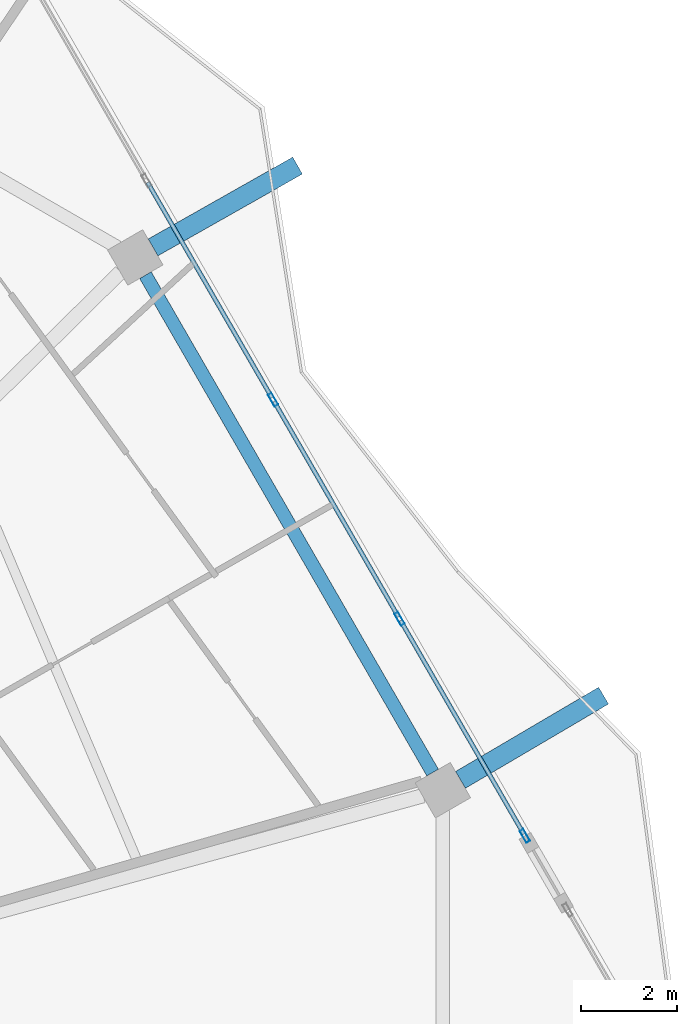
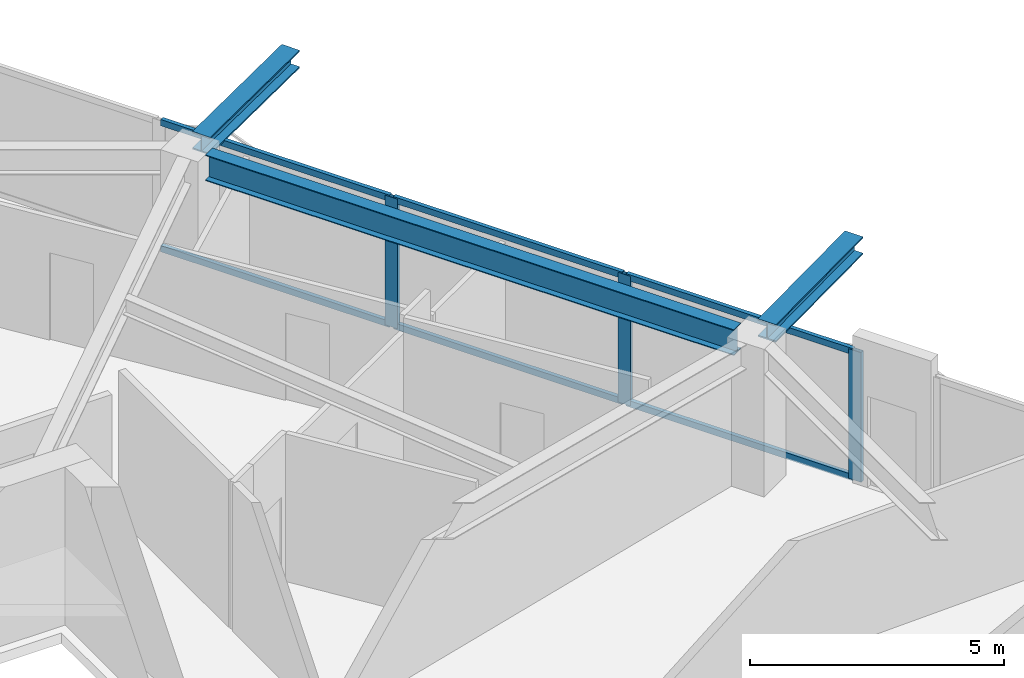
# One storey, part 15 of 26: 9 members, 3 beams, 1 element without a shape of its own.
"""IFC4 building model written with IfcOpenShell, lengths in metres."""

from ifc_helpers import new_model, si_unit, direction, frame, origin, origin_2d, place, context, subcontext, project, spatial, hollow_rectangle, i_section, extrude, material, material_profile, profile_set, type_object, element, aggregate, save


model = new_model("IFC4")

# Units and contexts
model_context = context("Model", 3, precision=1e-05, world=origin(), true_north=direction((0.0, 1.0)))
body_context = subcontext(model_context, "Body", "Model", "MODEL_VIEW")
ifc_project = project(units=[si_unit("LENGTHUNIT", "METRE"), si_unit("AREAUNIT", "SQUARE_METRE"), si_unit("VOLUMEUNIT", "CUBIC_METRE"), si_unit("PLANEANGLEUNIT", "RADIAN"), si_unit("MASSUNIT", "GRAM", prefix="KILO")], contexts=[model_context])

# Site, building, storey
site_placement = place(None, origin())
site = spatial("IfcSite", under=ifc_project, at=site_placement, CompositionType="ELEMENT")
building_placement = place(site_placement, origin())
building = spatial("IfcBuilding", under=site, at=building_placement, Name="Zuhravey Tower", CompositionType="ELEMENT")
storey_placement = place(building_placement, frame((0.0, 0.0, 295.800048828125)))
storey = spatial("IfcBuildingStorey", under=building, at=storey_placement, Name="L75", CompositionType="ELEMENT", Elevation=295.800048828125)

# Curtain wall, members
ifc_material_1 = material(Name="Thermally broken anodised aluminium", Category="aluminium")
curtain_wall_type = type_object("IfcCurtainWallType", Name="Zone 3-4 High-Rise Curtain Wall CW4", PredefinedType="NOTDEFINED", material=ifc_material_1)
curtain_wall_placement = place(storey_placement, origin())
curtain_wall = element("IfcCurtainWall", 1, at=curtain_wall_placement, inside=storey, type_object=curtain_wall_type, Name="L75 CW4 CW-L75-F1-1", PredefinedType="NOTDEFINED")
ifc_material_2 = material(Name="Anodised aluminium", Category="aluminium")
ifc_material_profile_1 = material_profile(ifc_material_2, hollow_rectangle(XDim=0.090087890625, YDim=0.284912109375, WallThickness=0.0048828125, at=origin_2d()), Name="ALU-RHS-90x285x5")
ifc_profile_set_1 = profile_set([ifc_material_profile_1], Name="Anodised aluminium")
member_type_1 = type_object("IfcMemberType", Name="Curtain-Wall Mullion 90x180", PredefinedType="MULLION", material=ifc_profile_set_1)
member_1_placement = place(storey_placement, frame((56.9287109375, 46.8779296875, 0.0), z_axis=(0.0, 0.0, 1.0), x_axis=(0.866024519015, 0.500001532463, 0.0)))
member_1 = element("IfcMember", 2, at=member_1_placement, type_object=member_type_1, Name="CW4 mullion 3", PredefinedType="MULLION", context=body_context, shape_type="SweptSolid", body=[
    extrude(hollow_rectangle(XDim=0.090087890625, YDim=0.284912109375, WallThickness=0.0048828125, at=origin_2d()), origin(), (0.0, 0.0, 1.0), 3.1220703125),
])
member_2_placement = place(storey_placement, frame((59.57666015625, 42.291259765625, 0.0), z_axis=(0.0, 0.0, 1.0), x_axis=(0.866024519015, 0.500001532463, 0.0)))
member_2 = element("IfcMember", 3, at=member_2_placement, type_object=member_type_1, Name="CW4 mullion 4", PredefinedType="MULLION", context=body_context, shape_type="SweptSolid", body=[
    extrude(hollow_rectangle(XDim=0.090087890625, YDim=0.284912109375, WallThickness=0.0048828125, at=origin_2d()), origin(), (0.0, 0.0, 1.0), 3.1220703125),
])
member_3_placement = place(storey_placement, frame((62.202392578125, 37.74365234375, 0.0), z_axis=(0.0, 0.0, 1.0), x_axis=(0.866024519015, 0.500001532463, 0.0)))
member_3 = element("IfcMember", 4, at=member_3_placement, type_object=member_type_1, Name="CW4 mullion 5", PredefinedType="MULLION", context=body_context, shape_type="SweptSolid", body=[
    extrude(hollow_rectangle(XDim=0.090087890625, YDim=0.284912109375, WallThickness=0.0048828125, at=origin_2d()), origin(), (0.0, 0.0, 1.0), 3.1220703125),
])
ifc_material_profile_2 = material_profile(ifc_material_2, hollow_rectangle(XDim=0.090087890625, YDim=0.14990234375, WallThickness=0.0048828125, at=origin_2d()), Name="ALU-RHS-90x150x5")
ifc_profile_set_2 = profile_set([ifc_material_profile_2], Name="Anodised aluminium")
member_type_2 = type_object("IfcMemberType", Name="Curtain-Wall Transom 90x150", PredefinedType="USERDEFINED", material=ifc_profile_set_2)
member_4_placement = place(storey_placement, frame((54.302978515625, 51.425537109375, 0.044921875), z_axis=(0.499982246889, -0.866035653305, 0.0), x_axis=(0.866035653305, 0.499982246889, 0.0)))
member_4 = element("IfcMember", 5, at=member_4_placement, type_object=member_type_2, Name="CW4 transom 2.1", ObjectType="TRANSOM", PredefinedType="USERDEFINED", context=body_context, shape_type="SweptSolid", body=[
    extrude(hollow_rectangle(XDim=0.090087890625, YDim=0.14990234375, WallThickness=0.0048828125, at=origin_2d()), origin(), (0.0, 0.0, 1.0), 5.206298828125),
])
member_5_placement = place(storey_placement, frame((54.302978515625, 51.425537109375, 3.076904296875), z_axis=(0.499982246889, -0.866035653305, 0.0), x_axis=(0.866035653305, 0.499982246889, 0.0)))
member_5 = element("IfcMember", 6, at=member_5_placement, type_object=member_type_2, Name="CW4 transom 2.2", ObjectType="TRANSOM", PredefinedType="USERDEFINED", context=body_context, shape_type="SweptSolid", body=[
    extrude(hollow_rectangle(XDim=0.090087890625, YDim=0.14990234375, WallThickness=0.0048828125, at=origin_2d()), origin(), (0.0, 0.0, 1.0), 5.206298828125),
])
member_6_placement = place(storey_placement, frame((56.951171875, 46.8388671875, 0.044921875), z_axis=(0.499982246889, -0.866035653305, 0.0), x_axis=(0.866035653305, 0.499982246889, 0.0)))
member_6 = element("IfcMember", 7, at=member_6_placement, type_object=member_type_2, Name="CW4 transom 3.1", ObjectType="TRANSOM", PredefinedType="USERDEFINED", context=body_context, shape_type="SweptSolid", body=[
    extrude(hollow_rectangle(XDim=0.090087890625, YDim=0.14990234375, WallThickness=0.0048828125, at=origin_2d()), origin(), (0.0, 0.0, 1.0), 5.206298828125),
])
member_7_placement = place(storey_placement, frame((56.951171875, 46.8388671875, 3.076904296875), z_axis=(0.499982246889, -0.866035653305, 0.0), x_axis=(0.866035653305, 0.499982246889, 0.0)))
member_7 = element("IfcMember", 8, at=member_7_placement, type_object=member_type_2, Name="CW4 transom 3.2", ObjectType="TRANSOM", PredefinedType="USERDEFINED", context=body_context, shape_type="SweptSolid", body=[
    extrude(hollow_rectangle(XDim=0.090087890625, YDim=0.14990234375, WallThickness=0.0048828125, at=origin_2d()), origin(), (0.0, 0.0, 1.0), 5.206298828125),
])
member_8_placement = place(storey_placement, frame((59.59912109375, 42.252197265625, 0.044921875), z_axis=(0.499995433041, -0.866028040503, 0.0), x_axis=(0.866028040503, 0.499995433041, 0.0)))
member_8 = element("IfcMember", 9, at=member_8_placement, type_object=member_type_2, Name="CW4 transom 4.1", ObjectType="TRANSOM", PredefinedType="USERDEFINED", context=body_context, shape_type="SweptSolid", body=[
    extrude(hollow_rectangle(XDim=0.090087890625, YDim=0.14990234375, WallThickness=0.0048828125, at=origin_2d()), origin(), (0.0, 0.0, 1.0), 5.1611328125),
])
member_9_placement = place(storey_placement, frame((59.59912109375, 42.252197265625, 3.076904296875), z_axis=(0.499995433041, -0.866028040503, 0.0), x_axis=(0.866028040503, 0.499995433041, 0.0)))
member_9 = element("IfcMember", 10, at=member_9_placement, type_object=member_type_2, Name="CW4 transom 4.2", ObjectType="TRANSOM", PredefinedType="USERDEFINED", context=body_context, shape_type="SweptSolid", body=[
    extrude(hollow_rectangle(XDim=0.090087890625, YDim=0.14990234375, WallThickness=0.0048828125, at=origin_2d()), origin(), (0.0, 0.0, 1.0), 5.1611328125),
])
aggregate(curtain_wall, [member_1, member_2, member_3, member_4, member_5, member_6, member_7, member_8, member_9])

# Beams
ifc_material_3 = material(Name="Steel SM460", Category="steel")
ifc_material_profile_3 = material_profile(ifc_material_3, i_section(OverallWidth=0.406982421875, OverallDepth=0.427978515625, WebThickness=0.02001953125, FlangeThickness=0.034912109375, at=origin_2d()), Name="H-428x407x20x35")
ifc_profile_set_3 = profile_set([ifc_material_profile_3], Name="Steel SM460")
beam_type_1 = type_object("IfcBeamType", Name="Exoskeleton Node Tie Beam H428x407", PredefinedType="BEAM", material=ifc_profile_set_3)
for number, where, z_axis, x_axis, name in (
    (11, (60.854248046875, 38.91650390625, 3.3359375), (0.861769869535, 0.507299410567, 0.0), (-0.507299410567, 0.861769869535, 0.0), "L75 Exoskeleton Node Tie NT1-01"),
    (12, (54.4169921875, 50.066162109375, 3.3359375), (0.870232993638, 0.49264037267, 0.0), (-0.49264037267, 0.870232993638, 0.0), "L75 Exoskeleton Node Tie NT1-02"),
):
    element("IfcBeam", number, at=place(storey_placement, frame(where, z_axis=z_axis, x_axis=x_axis)), inside=storey, type_object=beam_type_1, Name=name, PredefinedType="BEAM", context=body_context, shape_type="SweptSolid", body=[
        extrude(i_section(OverallWidth=0.406982421875, OverallDepth=0.427978515625, WebThickness=0.02001953125, FlangeThickness=0.034912109375, at=origin_2d()), origin(), (0.0, 0.0, 1.0), 3.47607421875),
    ])
ifc_material_4 = material(Name="Steel SM355", Category="steel")
ifc_material_profile_4 = material_profile(ifc_material_4, i_section(OverallWidth=0.280029296875, OverallDepth=0.6201171875, WebThickness=0.011962890625, FlangeThickness=0.02001953125, at=origin_2d()), Name="H-620x280x12x20")
ifc_profile_set_4 = profile_set([ifc_material_profile_4], Name="Steel SM355")
beam_type_2 = type_object("IfcBeamType", Name="Perimeter Ring Beam H620x280", PredefinedType="BEAM", material=ifc_profile_set_4)
beam_placement = place(storey_placement, frame((60.2705078125, 39.069580078125, 3.239990234375), z_axis=(-0.500005971936, 0.866021955858, 0.0), x_axis=(-0.866021955858, -0.500005971936, 0.0)))
element("IfcBeam", 13, at=beam_placement, inside=storey, type_object=beam_type_2, Name="L75 PB3 BM-L75-PB-01", PredefinedType="BEAM", context=body_context, shape_type="SweptSolid", body=[
    extrude(i_section(OverallWidth=0.280029296875, OverallDepth=0.6201171875, WebThickness=0.011962890625, FlangeThickness=0.02001953125, at=origin_2d()), origin(), (0.0, 0.0, 1.0), 12.025634765625),
])

save(model, "model.ifc")
